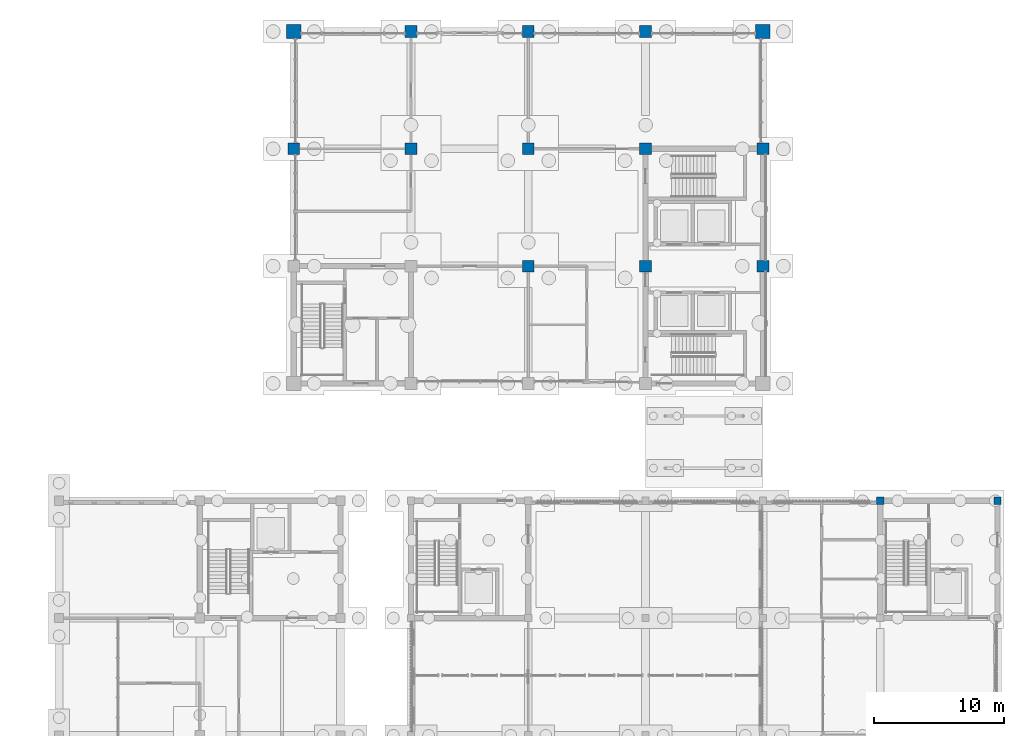
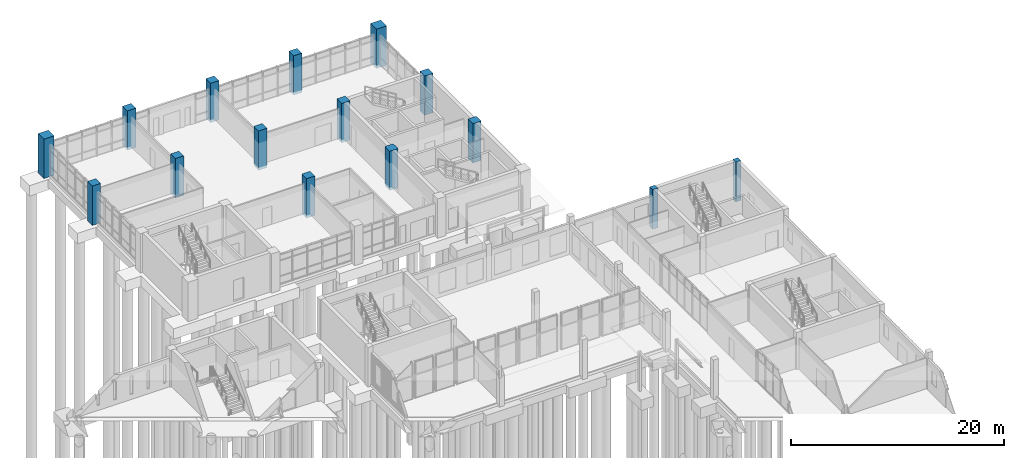
# One storey, part 23 of 106: 15 columns.
"""IFC4 building model written with IfcOpenShell, lengths in metres."""

from ifc_helpers import new_model, si_unit, direction, frame, origin, origin_2d, place, context, subcontext, project, spatial, rectangle, extrude, material, material_profile, profile_set, type_object, element, save


model = new_model("IFC4")

# Units and contexts
model_context = context("Model", 3, precision=1e-05, world=origin(), true_north=direction((0.0, 1.0)))
body_context = subcontext(model_context, "Body", "Model", "MODEL_VIEW")
ifc_project = project(units=[si_unit("LENGTHUNIT", "METRE"), si_unit("AREAUNIT", "SQUARE_METRE"), si_unit("VOLUMEUNIT", "CUBIC_METRE"), si_unit("PLANEANGLEUNIT", "RADIAN"), si_unit("MASSUNIT", "GRAM", prefix="KILO")], contexts=[model_context])

# Site, building, storey
site_placement = place(None, origin())
site = spatial("IfcSite", under=ifc_project, at=site_placement, CompositionType="ELEMENT")
building_placement = place(site_placement, origin())
building = spatial("IfcBuilding", under=site, at=building_placement, Name="Merrow Basin Faculty of Sciences", CompositionType="ELEMENT")
storey_placement = place(building_placement, origin())
storey = spatial("IfcBuildingStorey", under=building, at=storey_placement, Name="L00", CompositionType="ELEMENT", Elevation=0.0)

# Columns
ifc_material_1 = material(Name="Concrete C50/60", Category="concrete")
ifc_material_profile_1 = material_profile(ifc_material_1, rectangle(XDim=1.10009765625, YDim=1.10009765625, at=origin_2d()))
ifc_profile_set_1 = profile_set([ifc_material_profile_1], Name="Concrete C50/60")
column_type_1 = type_object("IfcColumnType", Name="Column RC1100x1100 C50/60", PredefinedType="COLUMN", material=ifc_profile_set_1)
for number, where, z_axis, x_axis, name in (
    (1, (18.0, 169.0, -0.300048828125), (0.0, 0.0, 1.0), (1.0, 0.0, 0.0), "Column S16 L00"),
    (2, (54.0, 169.0, -0.300048828125), (0.0, 0.0, 1.0), (1.0, 0.0, 0.0), "Column G16 L00"),
):
    element("IfcColumn", number, at=place(storey_placement, frame(where, z_axis=z_axis, x_axis=x_axis)), inside=storey, type_object=column_type_1, Name=name, PredefinedType="COLUMN", context=body_context, shape_type="SweptSolid", body=[
        extrude(rectangle(XDim=1.10009765625, YDim=1.10009765625, at=origin_2d()), origin(), (0.0, 0.0, 1.0), 4.5),
    ])
ifc_material_2 = material(Name="Concrete C40/50", Category="concrete")
ifc_material_profile_2 = material_profile(ifc_material_2, rectangle(XDim=0.550048828125, YDim=0.550048828125, at=origin_2d()))
ifc_profile_set_2 = profile_set([ifc_material_profile_2], Name="Concrete C40/50")
column_type_2 = type_object("IfcColumnType", Name="Column RC550x550 C40/50", PredefinedType="COLUMN", material=ifc_profile_set_2)
for number, where, z_axis, x_axis, name in (
    (3, (63.0, 133.0, -0.300048828125), (0.0, 0.0, 1.0), (1.0, 0.0, 0.0), "Column H9 L00"),
    (4, (72.0, 133.0, -0.300048828125), (0.0, 0.0, 1.0), (1.0, 0.0, 0.0), "Column J9 L00"),
):
    element("IfcColumn", number, at=place(storey_placement, frame(where, z_axis=z_axis, x_axis=x_axis)), inside=storey, type_object=column_type_2, Name=name, PredefinedType="COLUMN", context=body_context, shape_type="SweptSolid", body=[
        extrude(rectangle(XDim=0.550048828125, YDim=0.550048828125, at=origin_2d()), origin(), (0.0, 0.0, 1.0), 4.550048828125),
    ])
ifc_material_3 = material(Name="Concrete C50/60", Category="concrete")
ifc_material_profile_3 = material_profile(ifc_material_3, rectangle(XDim=0.89990234375, YDim=0.89990234375, at=origin_2d()))
ifc_profile_set_3 = profile_set([ifc_material_profile_3], Name="Concrete C50/60")
column_type_3 = type_object("IfcColumnType", Name="Column RC900x900 C50/60", PredefinedType="COLUMN", material=ifc_profile_set_3)
for number, where, z_axis, x_axis, name in (
    (5, (18.0, 160.0, -0.300048828125), (0.0, 0.0, 1.0), (1.0, 0.0, 0.0), "Column S15 L00"),
    (6, (27.0, 160.0, -0.300048828125), (0.0, 0.0, 1.0), (1.0, 0.0, 0.0), "Column D15 L00"),
    (7, (27.0, 169.0, -0.300048828125), (0.0, 0.0, 1.0), (1.0, 0.0, 0.0), "Column D16 L00"),
    (8, (36.0, 151.0, -0.300048828125), (0.0, 0.0, 1.0), (1.0, 0.0, 0.0), "Column E14 L00"),
    (9, (36.0, 160.0, -0.300048828125), (0.0, 0.0, 1.0), (1.0, 0.0, 0.0), "Column E15 L00"),
    (10, (36.0, 169.0, -0.300048828125), (0.0, 0.0, 1.0), (1.0, 0.0, 0.0), "Column E16 L00"),
    (11, (45.0, 151.0, -0.300048828125), (0.0, 0.0, 1.0), (1.0, 0.0, 0.0), "Column F14 L00"),
    (12, (45.0, 160.0, -0.300048828125), (0.0, 0.0, 1.0), (1.0, 0.0, 0.0), "Column F15 L00"),
    (13, (45.0, 169.0, -0.300048828125), (0.0, 0.0, 1.0), (1.0, 0.0, 0.0), "Column F16 L00"),
    (14, (54.0, 151.0, -0.300048828125), (0.0, 0.0, 1.0), (1.0, 0.0, 0.0), "Column G14 L00"),
    (15, (54.0, 160.0, -0.300048828125), (0.0, 0.0, 1.0), (1.0, 0.0, 0.0), "Column G15 L00"),
):
    element("IfcColumn", number, at=place(storey_placement, frame(where, z_axis=z_axis, x_axis=x_axis)), inside=storey, type_object=column_type_3, Name=name, PredefinedType="COLUMN", context=body_context, shape_type="SweptSolid", body=[
        extrude(rectangle(XDim=0.89990234375, YDim=0.89990234375, at=origin_2d()), origin(), (0.0, 0.0, 1.0), 4.5),
    ])

save(model, "model.ifc")
